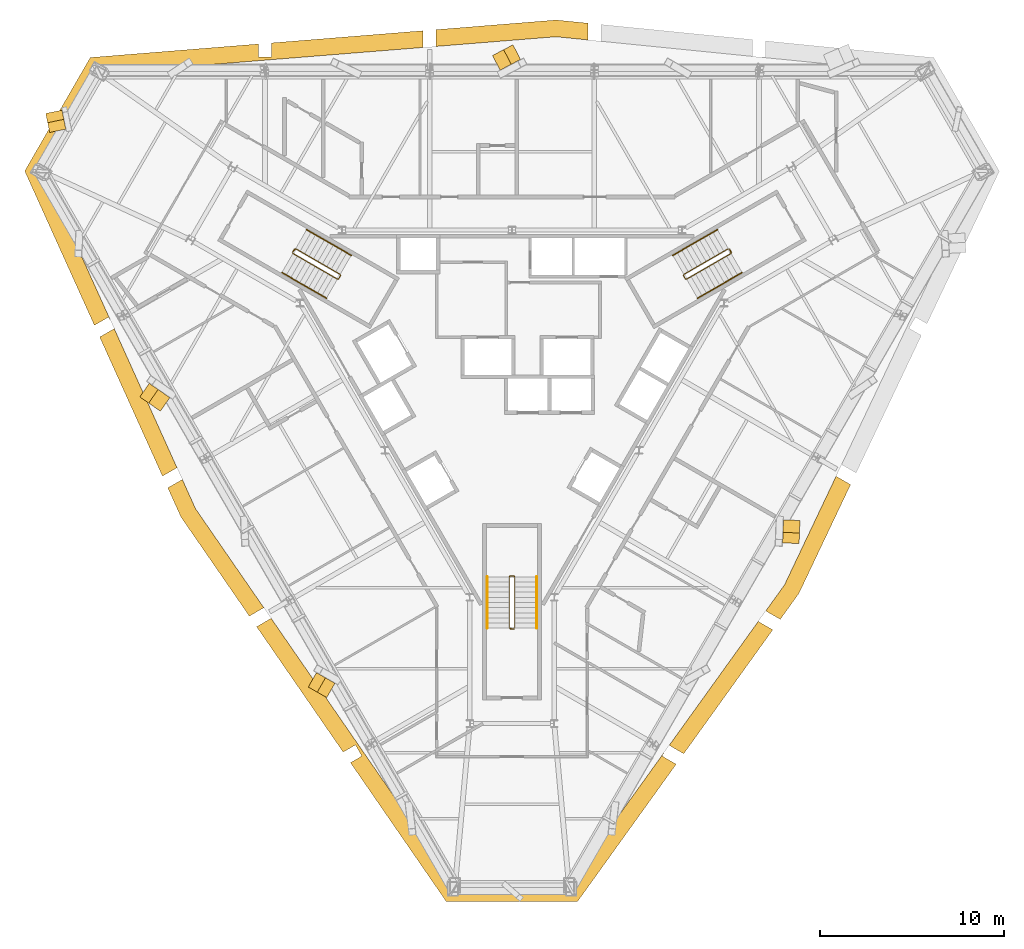
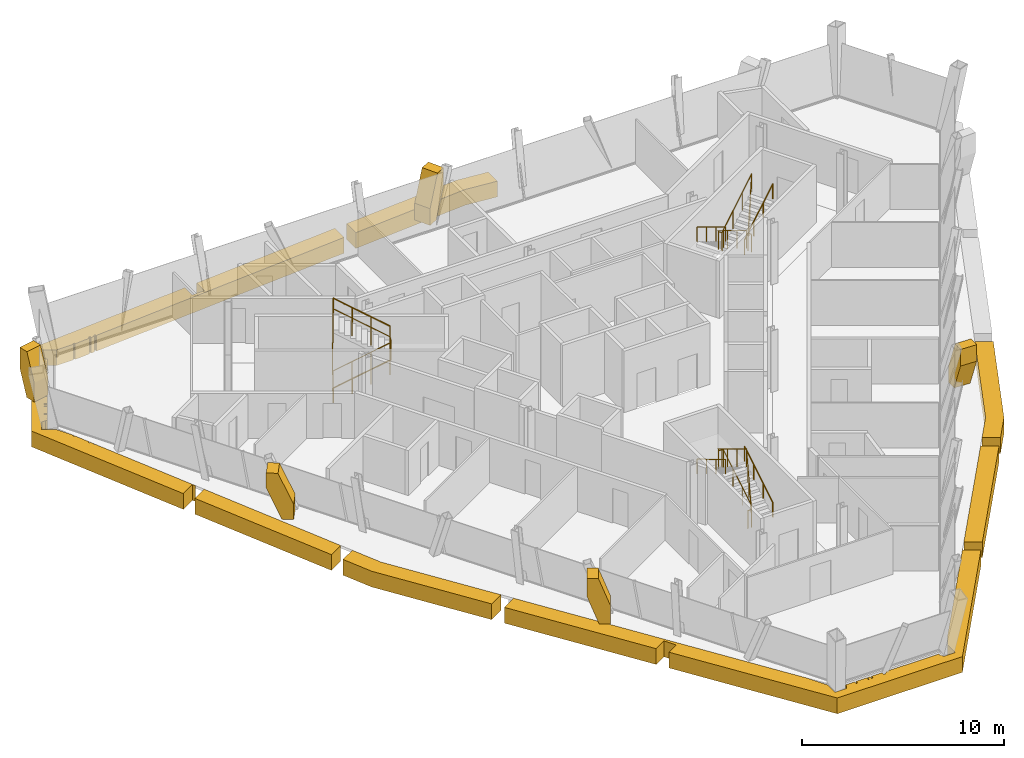
# One storey, part 12 of 13: 12 coverings, 9 railings.
"""IFC4 building model written with IfcOpenShell, lengths in metres."""

from ifc_helpers import new_model, si_unit, direction, frame, origin, origin_2d, place, context, subcontext, project, spatial, polyline, circle, outline, extrude, material, layer, layer_set, type_object, element, save


model = new_model("IFC4")

# Units and contexts
model_context = context("Model", 3, precision=1e-05, world=origin(), true_north=direction((0.0, 1.0)))
body_context = subcontext(model_context, "Body", "Model", "MODEL_VIEW")
ifc_project = project(units=[si_unit("LENGTHUNIT", "METRE"), si_unit("AREAUNIT", "SQUARE_METRE"), si_unit("VOLUMEUNIT", "CUBIC_METRE"), si_unit("PLANEANGLEUNIT", "RADIAN"), si_unit("MASSUNIT", "GRAM", prefix="KILO")], contexts=[model_context])

# Site, building, storey
site_placement = place(None, origin())
site = spatial("IfcSite", under=ifc_project, at=site_placement, CompositionType="ELEMENT")
building_placement = place(site_placement, origin())
building = spatial("IfcBuilding", under=site, at=building_placement, Name="Verrane Prism Tower", CompositionType="ELEMENT")
storey_placement = place(building_placement, frame((0.0, 0.0, 243.39990234375)))
storey = spatial("IfcBuildingStorey", under=building, at=storey_placement, Name="L61", CompositionType="ELEMENT", Elevation=243.39990234375)

# Railings
ifc_material_1 = material(Name="Steel A36 rail and posts, no infill", Category="steel")
railing_type_1 = type_object("IfcRailingType", Name="Stair guard 1100 steel rail and posts", PredefinedType="GUARDRAIL", material=ifc_material_1)
railing_1_placement = place(storey_placement, frame((11.78955078125, 6.97998046875, 0.168212890625)))
element("IfcRailing", 1, at=railing_1_placement, inside=storey, type_object=railing_type_1, Name="Stair 1 guard", PredefinedType="GUARDRAIL", context=body_context, shape_type="SweptSolid", body=[
    extrude(circle(Radius=0.02392578125, at=origin_2d()), frame((0.0, 0.0, 1.076171875), z_axis=(-0.742366697286, -0.42866220388, 0.514917859203), x_axis=(0.500049511043, -0.865996816683, 0.0)), (0.0, 0.0, 1.0), 3.266357421875),
    extrude(circle(Radius=0.02392578125, at=origin_2d()), frame((-2.4248046875, -1.400146484375, 2.7578125), z_axis=(-0.259601060869, -0.965715946433, 0.0), x_axis=(0.965715946433, -0.259601060869, 0.0)), (0.0, 0.0, 1.0), 0.070556640625),
    extrude(circle(Radius=0.02392578125, at=origin_2d()), frame((-2.443115234375, -1.46826171875, 2.7578125), z_axis=(0.499158860599, -0.866510491504, 0.0), x_axis=(0.866510491504, 0.499158860599, 0.0)), (0.0, 0.0, 1.0), 0.199951171875),
    extrude(circle(Radius=0.02392578125, at=origin_2d()), frame((-2.34326171875, -1.6416015625, 2.7578125), z_axis=(0.374585375571, -0.100335368456, 0.921747584887), x_axis=(0.258736085224, 0.965948051503, 0.0)), (0.0, 0.0, 1.0), 0.182373046875),
    extrude(circle(Radius=0.02392578125, at=origin_2d()), frame((-2.27490234375, -1.659912109375, 2.92626953125), z_axis=(0.742366697286, 0.42866220388, 0.514917859203), x_axis=(-0.500049511043, 0.865996816683, 0.0)), (0.0, 0.0, 1.0), 3.266357421875),
    extrude(circle(Radius=0.02392578125, at=origin_2d()), frame((0.14990234375, -0.259765625, 4.60791015625), z_axis=(-0.021985391189, 0.065100454749, -0.997636493602), x_axis=(-0.947430582667, -0.3199613899, 0.0)), (0.0, 0.0, 1.0), 3.708984375),
    extrude(circle(Radius=0.02392578125, at=origin_2d()), frame((0.068359375, -0.018310546875, 0.90771484375), z_axis=(0.499158860599, -0.866510491504, 0.0), x_axis=(0.866510491504, 0.499158860599, 0.0)), (0.0, 0.0, 1.0), 0.199951171875),
    extrude(circle(Radius=0.02099609375, at=origin_2d()), origin(), (0.0, 0.0, 1.0), 1.052001953125),
    extrude(circle(Radius=0.02099609375, at=origin_2d()), frame((-0.808349609375, -0.466796875, 0.560546875)), (0.0, 0.0, 1.0), 1.052001953125),
    extrude(circle(Radius=0.02099609375, at=origin_2d()), frame((-1.616455078125, -0.933349609375, 1.121337890625)), (0.0, 0.0, 1.0), 1.052001953125),
    extrude(circle(Radius=0.02099609375, at=origin_2d()), frame((-2.4248046875, -1.400146484375, 1.681884765625)), (0.0, 0.0, 1.0), 1.052001953125),
    extrude(circle(Radius=0.02099609375, at=origin_2d()), frame((-2.443115234375, -1.46826171875, 1.681884765625)), (0.0, 0.0, 1.0), 1.052001953125),
    extrude(circle(Radius=0.02099609375, at=origin_2d()), frame((-2.34326171875, -1.6416015625, 1.681884765625)), (0.0, 0.0, 1.0), 1.052001953125),
    extrude(circle(Radius=0.02099609375, at=origin_2d()), frame((-2.27490234375, -1.659912109375, 1.85009765625)), (0.0, 0.0, 1.0), 1.052001953125),
    extrude(circle(Radius=0.02099609375, at=origin_2d()), frame((-1.466552734375, -1.193115234375, 2.41064453125)), (0.0, 0.0, 1.0), 1.052001953125),
    extrude(circle(Radius=0.02099609375, at=origin_2d()), frame((-0.658447265625, -0.7265625, 2.971435546875)), (0.0, 0.0, 1.0), 1.052001953125),
    extrude(circle(Radius=0.02099609375, at=origin_2d()), frame((0.14990234375, -0.259765625, 3.531982421875)), (0.0, 0.0, 1.0), 1.052001953125),
    extrude(circle(Radius=0.02099609375, at=origin_2d()), frame((0.12939453125, -0.199462890625, 2.60693359375)), (0.0, 0.0, 1.0), 1.052001953125),
    extrude(circle(Radius=0.02099609375, at=origin_2d()), frame((0.109130859375, -0.13916015625, 1.681884765625)), (0.0, 0.0, 1.0), 1.052001953125),
    extrude(circle(Radius=0.02099609375, at=origin_2d()), frame((0.0888671875, -0.07861328125, 0.7568359375)), (0.0, 0.0, 1.0), 1.052001953125),
    extrude(circle(Radius=0.02099609375, at=origin_2d()), frame((0.068359375, -0.018310546875, -0.168212890625)), (0.0, 0.0, 1.0), 1.052001953125),
    extrude(circle(Radius=0.02099609375, at=origin_2d()), frame((0.168212890625, -0.191650390625, -0.168212890625)), (0.0, 0.0, 1.0), 1.052001953125),
])
railing_2_placement = place(storey_placement, frame((-11.939453125, 6.72021484375, 0.168212890625)))
element("IfcRailing", 2, at=railing_2_placement, inside=storey, type_object=railing_type_1, Name="Stair 2 guard", PredefinedType="GUARDRAIL", context=body_context, shape_type="SweptSolid", body=[
    extrude(circle(Radius=0.02392578125, at=origin_2d()), frame((0.0, 0.0, 1.076171875), z_axis=(0.742366697286, -0.42866220388, 0.514917859203), x_axis=(0.500049511043, 0.865996816683, 0.0)), (0.0, 0.0, 1.0), 3.266357421875),
    extrude(circle(Radius=0.02392578125, at=origin_2d()), frame((2.4248046875, -1.400146484375, 2.7578125), z_axis=(0.965948051503, 0.258736085224, 0.0), x_axis=(-0.258736085224, 0.965948051503, 0.0)), (0.0, 0.0, 1.0), 0.07080078125),
    extrude(circle(Radius=0.02392578125, at=origin_2d()), frame((2.4931640625, -1.3818359375, 2.7578125), z_axis=(0.499158860599, 0.866510491504, 0.0), x_axis=(-0.866510491504, 0.499158860599, 0.0)), (0.0, 0.0, 1.0), 0.199951171875),
    extrude(circle(Radius=0.02392578125, at=origin_2d()), frame((2.593017578125, -1.20849609375, 2.7578125), z_axis=(-0.100385596638, 0.373434419493, 0.922209014446), x_axis=(-0.965715946433, -0.259601060869, 0.0)), (0.0, 0.0, 1.0), 0.182373046875),
    extrude(circle(Radius=0.02392578125, at=origin_2d()), frame((2.57470703125, -1.140380859375, 2.92626953125), z_axis=(-0.742366697286, 0.42866220388, 0.514917859203), x_axis=(-0.500049511043, -0.865996816683, 0.0)), (0.0, 0.0, 1.0), 3.266357421875),
    extrude(circle(Radius=0.02392578125, at=origin_2d()), frame((0.14990234375, 0.259765625, 4.60791015625), z_axis=(-0.045352972709, -0.05167210969, -0.997633750906), x_axis=(0.751567565678, -0.659656118156, 0.0)), (0.0, 0.0, 1.0), 3.708984375),
    extrude(circle(Radius=0.02392578125, at=origin_2d()), frame((-0.018310546875, 0.068115234375, 0.90771484375), z_axis=(0.499158860599, 0.866510491504, 0.0), x_axis=(-0.866510491504, 0.499158860599, 0.0)), (0.0, 0.0, 1.0), 0.199951171875),
    extrude(circle(Radius=0.02099609375, at=origin_2d()), origin(), (0.0, 0.0, 1.0), 1.052001953125),
    extrude(circle(Radius=0.02099609375, at=origin_2d()), frame((0.808349609375, -0.466796875, 0.560546875)), (0.0, 0.0, 1.0), 1.052001953125),
    extrude(circle(Radius=0.02099609375, at=origin_2d()), frame((1.616455078125, -0.933349609375, 1.121337890625)), (0.0, 0.0, 1.0), 1.052001953125),
    extrude(circle(Radius=0.02099609375, at=origin_2d()), frame((2.4248046875, -1.400146484375, 1.681884765625)), (0.0, 0.0, 1.0), 1.052001953125),
    extrude(circle(Radius=0.02099609375, at=origin_2d()), frame((2.4931640625, -1.3818359375, 1.681884765625)), (0.0, 0.0, 1.0), 1.052001953125),
    extrude(circle(Radius=0.02099609375, at=origin_2d()), frame((2.593017578125, -1.20849609375, 1.681884765625)), (0.0, 0.0, 1.0), 1.052001953125),
    extrude(circle(Radius=0.02099609375, at=origin_2d()), frame((2.57470703125, -1.140380859375, 1.85009765625)), (0.0, 0.0, 1.0), 1.052001953125),
    extrude(circle(Radius=0.02099609375, at=origin_2d()), frame((1.766357421875, -0.673583984375, 2.41064453125)), (0.0, 0.0, 1.0), 1.052001953125),
    extrude(circle(Radius=0.02099609375, at=origin_2d()), frame((0.958251953125, -0.20703125, 2.971435546875)), (0.0, 0.0, 1.0), 1.052001953125),
    extrude(circle(Radius=0.02099609375, at=origin_2d()), frame((0.14990234375, 0.259765625, 3.531982421875)), (0.0, 0.0, 1.0), 1.052001953125),
    extrude(circle(Radius=0.02099609375, at=origin_2d()), frame((0.10791015625, 0.2119140625, 2.60693359375)), (0.0, 0.0, 1.0), 1.052001953125),
    extrude(circle(Radius=0.02099609375, at=origin_2d()), frame((0.06591796875, 0.1640625, 1.681884765625)), (0.0, 0.0, 1.0), 1.052001953125),
    extrude(circle(Radius=0.02099609375, at=origin_2d()), frame((0.023681640625, 0.115966796875, 0.7568359375)), (0.0, 0.0, 1.0), 1.052001953125),
    extrude(circle(Radius=0.02099609375, at=origin_2d()), frame((-0.018310546875, 0.068115234375, -0.168212890625)), (0.0, 0.0, 1.0), 1.052001953125),
    extrude(circle(Radius=0.02099609375, at=origin_2d()), frame((0.08154296875, 0.241455078125, -0.168212890625)), (0.0, 0.0, 1.0), 1.052001953125),
])
railing_3_placement = place(storey_placement, frame((0.14990234375, -13.699951171875, 0.168212890625)))
element("IfcRailing", 3, at=railing_3_placement, inside=storey, type_object=railing_type_1, Name="Stair 3 guard", PredefinedType="GUARDRAIL", context=body_context, shape_type="SweptSolid", body=[
    extrude(circle(Radius=0.02392578125, at=origin_2d()), frame((0.0, 0.0, 1.076171875), z_axis=(0.0, 0.857242210791, 0.514913383045), x_axis=(-1.0, 0.0, 0.0)), (0.0, 0.0, 1.0), 3.266357421875),
    extrude(circle(Radius=0.02392578125, at=origin_2d()), frame((0.0, 2.800048828125, 2.7578125), z_axis=(-0.707106781187, 0.707106781187, 0.0), x_axis=(-0.707106781187, -0.707106781187, 0.0)), (0.0, 0.0, 1.0), 0.0703125),
    extrude(circle(Radius=0.02392578125, at=origin_2d()), frame((-0.0498046875, 2.849853515625, 2.7578125), z_axis=(-1.0, 0.0, 0.0), x_axis=(0.0, -1.0, 0.0)), (0.0, 0.0, 1.0), 0.2001953125),
    extrude(circle(Radius=0.02392578125, at=origin_2d()), frame((-0.25, 2.849853515625, 2.7578125), z_axis=(-0.273106073848, -0.273106073848, 0.922402376869), x_axis=(0.707106781187, -0.707106781187, 0.0)), (0.0, 0.0, 1.0), 0.182373046875),
    extrude(circle(Radius=0.02392578125, at=origin_2d()), frame((-0.2998046875, 2.800048828125, 2.92626953125), z_axis=(0.0, -0.857242210791, 0.514913383045), x_axis=(1.0, 0.0, 0.0)), (0.0, 0.0, 1.0), 3.266357421875),
    extrude(circle(Radius=0.02392578125, at=origin_2d()), frame((-0.2998046875, 0.0, 4.60791015625), z_axis=(0.067404178178, -0.013494000514, -0.997634496554), x_axis=(0.196300278283, 0.98054382908, 0.0)), (0.0, 0.0, 1.0), 3.708984375),
    extrude(circle(Radius=0.02392578125, at=origin_2d()), frame((-0.0498046875, -0.050048828125, 0.90771484375), z_axis=(-1.0, 0.0, 0.0), x_axis=(0.0, -1.0, 0.0)), (0.0, 0.0, 1.0), 0.2001953125),
    extrude(circle(Radius=0.02099609375, at=origin_2d()), origin(), (0.0, 0.0, 1.0), 1.052001953125),
    extrude(circle(Radius=0.02099609375, at=origin_2d()), frame((0.0, 0.933349609375, 0.560546875)), (0.0, 0.0, 1.0), 1.052001953125),
    extrude(circle(Radius=0.02099609375, at=origin_2d()), frame((0.0, 1.86669921875, 1.121337890625)), (0.0, 0.0, 1.0), 1.052001953125),
    extrude(circle(Radius=0.02099609375, at=origin_2d()), frame((0.0, 2.800048828125, 1.681884765625)), (0.0, 0.0, 1.0), 1.052001953125),
    extrude(circle(Radius=0.02099609375, at=origin_2d()), frame((-0.0498046875, 2.849853515625, 1.681884765625)), (0.0, 0.0, 1.0), 1.052001953125),
    extrude(circle(Radius=0.02099609375, at=origin_2d()), frame((-0.25, 2.849853515625, 1.681884765625)), (0.0, 0.0, 1.0), 1.052001953125),
    extrude(circle(Radius=0.02099609375, at=origin_2d()), frame((-0.2998046875, 2.800048828125, 1.85009765625)), (0.0, 0.0, 1.0), 1.052001953125),
    extrude(circle(Radius=0.02099609375, at=origin_2d()), frame((-0.2998046875, 1.86669921875, 2.41064453125)), (0.0, 0.0, 1.0), 1.052001953125),
    extrude(circle(Radius=0.02099609375, at=origin_2d()), frame((-0.2998046875, 0.933349609375, 2.971435546875)), (0.0, 0.0, 1.0), 1.052001953125),
    extrude(circle(Radius=0.02099609375, at=origin_2d()), frame((-0.2998046875, 0.0, 3.531982421875)), (0.0, 0.0, 1.0), 1.052001953125),
    extrude(circle(Radius=0.02099609375, at=origin_2d()), frame((-0.2373046875, -0.012451171875, 2.60693359375)), (0.0, 0.0, 1.0), 1.052001953125),
    extrude(circle(Radius=0.02099609375, at=origin_2d()), frame((-0.1748046875, -0.02490234375, 1.681884765625)), (0.0, 0.0, 1.0), 1.052001953125),
    extrude(circle(Radius=0.02099609375, at=origin_2d()), frame((-0.1123046875, -0.03759765625, 0.7568359375)), (0.0, 0.0, 1.0), 1.052001953125),
    extrude(circle(Radius=0.02099609375, at=origin_2d()), frame((-0.0498046875, -0.050048828125, -0.168212890625)), (0.0, 0.0, 1.0), 1.052001953125),
    extrude(circle(Radius=0.02099609375, at=origin_2d()), frame((-0.25, -0.050048828125, -0.168212890625)), (0.0, 0.0, 1.0), 1.052001953125),
])
ifc_material_2 = material(Name="Steel A36 tube", Category="steel")
railing_type_2 = type_object("IfcRailingType", Name="Stair handrail 900 steel tube", PredefinedType="HANDRAIL", material=ifc_material_2)
railing_4_placement = place(storey_placement, frame((11.189453125, 8.01904296875, 0.168212890625)))
element("IfcRailing", 4, at=railing_4_placement, inside=storey, type_object=railing_type_2, Name="Stair 1 handrail", PredefinedType="HANDRAIL", context=body_context, shape_type="SweptSolid", body=[
    extrude(circle(Radius=0.02392578125, at=origin_2d()), frame((0.0, 0.0, 0.8759765625), z_axis=(-0.742390482028, -0.42860119049, 0.514934356695), x_axis=(0.49998411664, -0.866034573852, 0.0)), (0.0, 0.0, 1.0), 3.26611328125),
    extrude(circle(Radius=0.02099609375, at=origin_2d()), origin(), (0.0, 0.0, 1.0), 0.851806640625),
    extrude(circle(Radius=0.02099609375, at=origin_2d()), frame((-0.808349609375, -0.466552734375, 0.560546875)), (0.0, 0.0, 1.0), 0.851806640625),
    extrude(circle(Radius=0.02099609375, at=origin_2d()), frame((-1.616455078125, -0.933349609375, 1.121337890625)), (0.0, 0.0, 1.0), 0.851806640625),
    extrude(circle(Radius=0.02099609375, at=origin_2d()), frame((-2.4248046875, -1.39990234375, 1.681884765625)), (0.0, 0.0, 1.0), 0.851806640625),
])
railing_5_placement = place(storey_placement, frame((10.11474609375, 4.28076171875, 2.018310546875)))
element("IfcRailing", 5, at=railing_5_placement, inside=storey, type_object=railing_type_2, Name="Stair 1 handrail", PredefinedType="HANDRAIL", context=body_context, shape_type="SweptSolid", body=[
    extrude(circle(Radius=0.02392578125, at=origin_2d()), frame((0.0, 0.0, 0.8759765625), z_axis=(0.742366697286, 0.42866220388, 0.514917859203), x_axis=(-0.500049511043, 0.865996816683, 0.0)), (0.0, 0.0, 1.0), 3.266357421875),
    extrude(circle(Radius=0.02099609375, at=origin_2d()), origin(), (0.0, 0.0, 1.0), 0.851806640625),
    extrude(circle(Radius=0.02099609375, at=origin_2d()), frame((0.808349609375, 0.466796875, 0.560546875)), (0.0, 0.0, 1.0), 0.851806640625),
    extrude(circle(Radius=0.02099609375, at=origin_2d()), frame((1.616455078125, 0.933349609375, 1.121337890625)), (0.0, 0.0, 1.0), 0.851806640625),
    extrude(circle(Radius=0.02099609375, at=origin_2d()), frame((2.4248046875, 1.400146484375, 1.681884765625)), (0.0, 0.0, 1.0), 0.851806640625),
])
railing_6_placement = place(storey_placement, frame((-12.53955078125, 5.680908203125, 0.168212890625)))
element("IfcRailing", 6, at=railing_6_placement, inside=storey, type_object=railing_type_2, Name="Stair 2 handrail", PredefinedType="HANDRAIL", context=body_context, shape_type="SweptSolid", body=[
    extrude(circle(Radius=0.02392578125, at=origin_2d()), frame((0.0, 0.0, 0.8759765625), z_axis=(0.742366697286, -0.42866220388, 0.514917859203), x_axis=(0.500049511043, 0.865996816683, 0.0)), (0.0, 0.0, 1.0), 3.266357421875),
    extrude(circle(Radius=0.02099609375, at=origin_2d()), origin(), (0.0, 0.0, 1.0), 0.851806640625),
    extrude(circle(Radius=0.02099609375, at=origin_2d()), frame((0.808349609375, -0.466796875, 0.560546875)), (0.0, 0.0, 1.0), 0.851806640625),
    extrude(circle(Radius=0.02099609375, at=origin_2d()), frame((1.616455078125, -0.933349609375, 1.121337890625)), (0.0, 0.0, 1.0), 0.851806640625),
    extrude(circle(Radius=0.02099609375, at=origin_2d()), frame((2.4248046875, -1.400146484375, 1.681884765625)), (0.0, 0.0, 1.0), 0.851806640625),
])
railing_7_placement = place(storey_placement, frame((-8.7646484375, 6.619140625, 2.018310546875)))
element("IfcRailing", 7, at=railing_7_placement, inside=storey, type_object=railing_type_2, Name="Stair 2 handrail", PredefinedType="HANDRAIL", context=body_context, shape_type="SweptSolid", body=[
    extrude(circle(Radius=0.02392578125, at=origin_2d()), frame((0.0, 0.0, 0.8759765625), z_axis=(-0.742390482028, 0.42860119049, 0.514934356695), x_axis=(-0.49998411664, -0.866034573852, 0.0)), (0.0, 0.0, 1.0), 3.26611328125),
    extrude(circle(Radius=0.02099609375, at=origin_2d()), origin(), (0.0, 0.0, 1.0), 0.851806640625),
    extrude(circle(Radius=0.02099609375, at=origin_2d()), frame((-0.808349609375, 0.466552734375, 0.560546875)), (0.0, 0.0, 1.0), 0.851806640625),
    extrude(circle(Radius=0.02099609375, at=origin_2d()), frame((-1.616455078125, 0.933349609375, 1.121337890625)), (0.0, 0.0, 1.0), 0.851806640625),
    extrude(circle(Radius=0.02099609375, at=origin_2d()), frame((-2.4248046875, 1.39990234375, 1.681884765625)), (0.0, 0.0, 1.0), 0.851806640625),
])
railing_8_placement = place(storey_placement, frame((1.35009765625, -13.699951171875, 0.168212890625)))
element("IfcRailing", 8, at=railing_8_placement, inside=storey, type_object=railing_type_2, Name="Stair 3 handrail", PredefinedType="HANDRAIL", context=body_context, shape_type="SweptSolid", body=[
    extrude(circle(Radius=0.02392578125, at=origin_2d()), frame((0.0, 0.0, 0.8759765625), z_axis=(0.0, 0.857242210791, 0.514913383045), x_axis=(-1.0, 0.0, 0.0)), (0.0, 0.0, 1.0), 3.266357421875),
    extrude(circle(Radius=0.02099609375, at=origin_2d()), origin(), (0.0, 0.0, 1.0), 0.851806640625),
    extrude(circle(Radius=0.02099609375, at=origin_2d()), frame((0.0, 0.933349609375, 0.560546875)), (0.0, 0.0, 1.0), 0.851806640625),
    extrude(circle(Radius=0.02099609375, at=origin_2d()), frame((0.0, 1.86669921875, 1.121337890625)), (0.0, 0.0, 1.0), 0.851806640625),
    extrude(circle(Radius=0.02099609375, at=origin_2d()), frame((0.0, 2.800048828125, 1.681884765625)), (0.0, 0.0, 1.0), 0.851806640625),
])
railing_9_placement = place(storey_placement, frame((-1.35009765625, -10.89990234375, 2.018310546875)))
element("IfcRailing", 9, at=railing_9_placement, inside=storey, type_object=railing_type_2, Name="Stair 3 handrail", PredefinedType="HANDRAIL", context=body_context, shape_type="SweptSolid", body=[
    extrude(circle(Radius=0.02392578125, at=origin_2d()), frame((0.0, 0.0, 0.8759765625), z_axis=(0.0, -0.857242210791, 0.514913383045), x_axis=(1.0, 0.0, 0.0)), (0.0, 0.0, 1.0), 3.266357421875),
    extrude(circle(Radius=0.02099609375, at=origin_2d()), origin(), (0.0, 0.0, 1.0), 0.851806640625),
    extrude(circle(Radius=0.02099609375, at=origin_2d()), frame((0.0, -0.933349609375, 0.560546875)), (0.0, 0.0, 1.0), 0.851806640625),
    extrude(circle(Radius=0.02099609375, at=origin_2d()), frame((0.0, -1.86669921875, 1.121337890625)), (0.0, 0.0, 1.0), 0.851806640625),
    extrude(circle(Radius=0.02099609375, at=origin_2d()), frame((0.0, -2.800048828125, 1.681884765625)), (0.0, 0.0, 1.0), 0.851806640625),
])

# Coverings
ifc_material_3 = material(Name="Warm limestone cladding", Category="masonry")
ifc_layer_1 = layer(ifc_material_3, 0.89990234375)
ifc_layer_set_1 = layer_set([ifc_layer_1], Name="Stone brace fin 900")
covering_type_1 = type_object("IfcCoveringType", Name="Stone brace fin 900", PredefinedType="CLADDING", material=ifc_layer_set_1)
covering_1_placement = place(storey_placement, frame((-0.8564453125, 17.108642578125, 0.0), z_axis=(0.0, 0.0, 1.0), x_axis=(0.885861866094, 0.463949085785, 0.0)))
element("IfcCovering", 10, at=covering_1_placement, inside=storey, type_object=covering_type_1, Name="Stone brace fin N3 L61", PredefinedType="CLADDING", context=body_context, shape_type="SweptSolid", body=[
    extrude(outline(polyline([(1.26025390625, 2.75), (0.68603515625, 2.75), (0.0, 1.01025390625), (0.0, 0.0), (0.569091796875, 0.0), (1.26025390625, 1.752685546875), (1.26025390625, 2.75)])), frame((0.0, 0.449951171875, 0.0), z_axis=(0.0, -1.0, 0.0), x_axis=(1.0, 0.0, 0.0)), (0.0, 0.0, 1.0), 0.89990234375),
])
covering_2_placement = place(storey_placement, frame((-18.904296875, -1.50341796875, 0.0), z_axis=(0.0, 0.0, 1.0), x_axis=(-0.822501717693, 0.568762625699, 0.0)))
element("IfcCovering", 11, at=covering_2_placement, inside=storey, type_object=covering_type_1, Name="Stone brace fin SW2 L61", PredefinedType="CLADDING", context=body_context, shape_type="SweptSolid", body=[
    extrude(outline(polyline([(1.362548828125, 2.75), (0.775390625, 2.75), (0.0, 0.930908203125), (0.0, 0.0), (0.58154296875, 0.0), (1.362548828125, 1.83203125), (1.362548828125, 2.75)])), frame((0.0, 0.449951171875, 0.0), z_axis=(0.0, -1.0, 0.0), x_axis=(1.0, 0.0, 0.0)), (0.0, 0.0, 1.0), 0.89990234375),
])
covering_3_placement = place(storey_placement, frame((-9.872802734375, -17.08935546875, 0.0), z_axis=(0.0, 0.0, 1.0), x_axis=(-0.868839910163, 0.495093133166, 0.0)))
element("IfcCovering", 12, at=covering_3_placement, inside=storey, type_object=covering_type_1, Name="Stone brace fin SW4 L61", PredefinedType="CLADDING", context=body_context, shape_type="SweptSolid", body=[
    extrude(outline(polyline([(1.156982421875, 2.75), (0.59521484375, 2.75), (0.0, 1.10546875), (0.0, 0.0), (0.556884765625, 0.0), (1.156982421875, 1.657470703125), (1.156982421875, 2.75)])), frame((0.0, 0.449951171875, 0.0), z_axis=(0.0, -1.0, 0.0), x_axis=(1.0, 0.0, 0.0)), (0.0, 0.0, 1.0), 0.89990234375),
])
covering_4_placement = place(storey_placement, frame((15.244384765625, -7.811279296875, 0.0), z_axis=(0.0, 0.0, 1.0), x_axis=(-0.038760609977, -0.9992485252, 0.0)))
element("IfcCovering", 13, at=covering_4_placement, inside=storey, type_object=covering_type_1, Name="Stone brace fin SE3 L61", PredefinedType="CLADDING", context=body_context, shape_type="SweptSolid", body=[
    extrude(outline(polyline([(1.259521484375, 2.75), (0.685302734375, 2.75), (0.0, 1.0107421875), (0.0, 0.0), (0.569091796875, 0.0), (1.259521484375, 1.752197265625), (1.259521484375, 2.75)])), frame((0.0, 0.449951171875, 0.0), z_axis=(0.0, -1.0, 0.0), x_axis=(1.0, 0.0, 0.0)), (0.0, 0.0, 1.0), 0.89990234375),
])
covering_5_placement = place(storey_placement, frame((-24.75390625, 13.40478515625, 0.0), z_axis=(0.0, 0.0, 1.0), x_axis=(-0.201789566248, 0.979428900407, 0.0)))
element("IfcCovering", 14, at=covering_5_placement, inside=storey, type_object=covering_type_1, Name="Stone brace fin NW1 L61", PredefinedType="CLADDING", context=body_context, shape_type="SweptSolid", body=[
    extrude(outline(polyline([(1.05859375, 2.75), (0.543701171875, 2.75), (0.0, 1.1533203125), (0.0, 0.0), (0.55810546875, 0.0), (1.05859375, 1.4697265625), (1.05859375, 2.75)])), frame((0.0, 0.449951171875, 0.0), z_axis=(0.0, -1.0, 0.0), x_axis=(1.0, 0.0, 0.0)), (0.0, 0.0, 1.0), 0.89990234375),
])
ifc_material_4 = material(Name="Warm limestone cladding", Category="masonry")
ifc_layer_2 = layer(ifc_material_4, 0.449951171875)
ifc_layer_set_2 = layer_set([ifc_layer_2], Name="Stone spandrel band 450")
covering_type_2 = type_object("IfcCoveringType", Name="Stone spandrel band 450", PredefinedType="CLADDING", material=ifc_layer_set_2)
covering_6_placement = place(storey_placement, frame((0.0, 0.0, -0.949951171875)))
element("IfcCovering", 15, at=covering_6_placement, inside=storey, type_object=covering_type_2, Name="Stone spandrel band L61 part 1", PredefinedType="CLADDING", context=body_context, shape_type="SweptSolid", body=[
    extrude(outline(polyline([(3.565673828125, -28.602294921875), (8.94775390625, -21.112060546875), (8.181884765625, -20.669677734375), (8.293701171875, -20.475830078125), (8.287353515625, -20.4716796875), (3.882568359375, -26.601806640625), (3.429931640625, -27.3857421875), (3.429931640625, -28.1201171875), (2.77001953125, -28.1201171875), (2.77001953125, -28.09814453125), (2.6591796875, -27.908935546875), (2.6591796875, -27.82568359375), (-0.33203125, -27.82568359375), (-0.47900390625, -27.991943359375), (-0.513671875, -27.961181640625), (-0.513671875, -27.989990234375), (-0.565185546875, -27.989990234375), (-0.565185546875, -27.91552734375), (-0.566162109375, -27.914794921875), (-0.565185546875, -27.913818359375), (-0.565185546875, -27.82568359375), (-1.17578125, -27.82568359375), (-1.17578125, -27.989990234375), (-1.2578125, -27.989990234375), (-1.2578125, -27.82568359375), (-1.3994140625, -27.82568359375), (-1.3994140625, -27.989990234375), (-1.450927734375, -27.989990234375), (-1.450927734375, -27.82568359375), (-2.0615234375, -27.82568359375), (-2.0615234375, -27.989990234375), (-2.1435546875, -27.989990234375), (-2.1435546875, -27.82568359375), (-2.48681640625, -27.82568359375), (-2.511962890625, -27.84033203125), (-2.5205078125, -27.82568359375), (-2.6591796875, -27.82568359375), (-2.6591796875, -27.908935546875), (-2.77001953125, -28.09814453125), (-2.77001953125, -28.1201171875), (-3.429931640625, -28.1201171875), (-3.429931640625, -27.3857421875), (-4.0419921875, -26.32568359375), (-13.124755859375, -13.162353515625), (-13.915283203125, -13.618896484375), (-9.201416015625, -20.4501953125), (-8.53173828125, -20.0634765625), (-8.181884765625, -20.669677734375), (-8.802734375, -21.0283203125), (-3.57666015625, -28.602294921875), (3.565673828125, -28.602294921875)])), origin(), (0.0, 0.0, 1.0), 0.949951171875),
])
covering_7_placement = place(storey_placement, frame((0.0, 0.0, -0.949951171875)))
element("IfcCovering", 16, at=covering_7_placement, inside=storey, type_object=covering_type_2, Name="Stone spandrel band L61 part 3", PredefinedType="CLADDING", context=body_context, shape_type="SweptSolid", body=[
    extrude(outline(polyline([(-21.98779296875, 3.251220703125), (-21.896484375, 3.093017578125), (-21.889892578125, 3.096435546875), (-24.389404296875, 8.63232421875), (-24.41162109375, 8.61962890625), (-24.46630859375, 8.714599609375), (-24.434814453125, 8.73291015625), (-24.51611328125, 8.9130859375), (-24.566162109375, 8.891357421875), (-24.610107421875, 8.9912109375), (-24.56103515625, 9.0126953125), (-24.90869140625, 9.78271484375), (-24.949462890625, 9.764892578125), (-24.99169921875, 9.86083984375), (-24.951904296875, 9.878173828125), (-24.979248046875, 9.938720703125), (-25.431640625, 10.72216796875), (-26.0673828125, 11.089111328125), (-25.7373046875, 11.660888671875), (-25.718505859375, 11.64990234375), (-25.49951171875, 11.64990234375), (-25.427978515625, 11.608642578125), (-25.358154296875, 11.729736328125), (-25.366943359375, 11.7451171875), (-25.3408203125, 11.760009765625), (-25.16943359375, 12.056396484375), (-25.3115234375, 12.138427734375), (-25.2705078125, 12.20947265625), (-25.12841796875, 12.127685546875), (-24.8232421875, 12.65625), (-24.96533203125, 12.73828125), (-24.939453125, 12.782958984375), (-24.797607421875, 12.700927734375), (-24.726806640625, 12.823486328125), (-24.86865234375, 12.905517578125), (-24.82763671875, 12.9765625), (-24.685791015625, 12.89453125), (-24.38037109375, 13.42333984375), (-24.455078125, 13.466552734375), (-24.45751953125, 13.466064453125), (-24.4580078125, 13.46826171875), (-24.5224609375, 13.50537109375), (-24.49658203125, 13.550048828125), (-24.471923828125, 13.535888671875), (-24.481201171875, 13.580322265625), (-24.263916015625, 13.625), (-22.767578125, 16.217041015625), (-22.84033203125, 16.259033203125), (-22.948486328125, 16.4482421875), (-22.96728515625, 16.459228515625), (-22.637451171875, 17.03076171875), (-22.0009765625, 16.663330078125), (-21.03076171875, 16.663330078125), (-21.0361328125, 16.712890625), (-20.931640625, 16.72412109375), (-20.925048828125, 16.663330078125), (-20.777587890625, 16.663330078125), (-20.080810546875, 16.719482421875), (-20.091552734375, 16.81640625), (-19.98291015625, 16.828125), (-19.971923828125, 16.728271484375), (-19.77978515625, 16.74365234375), (-19.77978515625, 16.830078125), (-19.670166015625, 16.830078125), (-19.670166015625, 16.752685546875), (-18.787109375, 16.82373046875), (-18.787109375, 16.830078125), (-18.708984375, 16.830078125), (-4.836669921875, 17.947509765625), (-4.836669921875, 18.8603515625), (-13.109619140625, 18.19384765625), (-13.109619140625, 17.416259765625), (-13.809814453125, 17.416259765625), (-13.809814453125, 18.137451171875), (-22.98193359375, 17.3984375), (-26.552978515625, 11.213134765625), (-22.75732421875, 2.806884765625), (-21.98779296875, 3.251220703125)])), origin(), (0.0, 0.0, 1.0), 0.949951171875),
])
covering_8_placement = place(storey_placement, frame((0.0, 0.0, -0.949951171875)))
element("IfcCovering", 17, at=covering_8_placement, inside=storey, type_object=covering_type_2, Name="Stone spandrel band L61 part 4", PredefinedType="CLADDING", context=body_context, shape_type="SweptSolid", body=[
    extrude(outline(polyline([(-18.25439453125, -4.954345703125), (-21.676025390625, 2.623046875), (-22.4677734375, 2.166015625), (-19.04638671875, -5.41162109375), (-18.25439453125, -4.954345703125)])), origin(), (0.0, 0.0, 1.0), 0.949951171875),
])
covering_9_placement = place(storey_placement, frame((0.0, 0.0, -0.949951171875)))
element("IfcCovering", 18, at=covering_9_placement, inside=storey, type_object=covering_type_2, Name="Stone spandrel band L61 part 5", PredefinedType="CLADDING", context=body_context, shape_type="SweptSolid", body=[
    extrude(outline(polyline([(-13.523681640625, -12.58447265625), (-17.243896484375, -7.192626953125), (-17.965087890625, -5.595703125), (-18.7568359375, -6.052734375), (-18.039306640625, -7.641845703125), (-14.314208984375, -13.040771484375), (-13.523681640625, -12.58447265625)])), origin(), (0.0, 0.0, 1.0), 0.949951171875),
])
covering_10_placement = place(storey_placement, frame((0.0, 0.0, -0.949951171875)))
element("IfcCovering", 19, at=covering_10_placement, inside=storey, type_object=covering_type_2, Name="Stone spandrel band L61 part 6", PredefinedType="CLADDING", context=body_context, shape_type="SweptSolid", body=[
    extrude(outline(polyline([(14.209716796875, -13.788818359375), (13.41796875, -13.331787109375), (8.56640625, -20.08349609375), (9.358154296875, -20.540771484375), (14.209716796875, -13.788818359375)])), origin(), (0.0, 0.0, 1.0), 0.949951171875),
])
covering_11_placement = place(storey_placement, frame((0.0, 0.0, -0.949951171875)))
element("IfcCovering", 20, at=covering_11_placement, inside=storey, type_object=covering_type_2, Name="Stone spandrel band L61 part 7", PredefinedType="CLADDING", context=body_context, shape_type="SweptSolid", body=[
    extrude(outline(polyline([(17.66015625, -5.419677734375), (14.85107421875, -11.33740234375), (13.828369140625, -12.760498046875), (14.620361328125, -13.217529296875), (15.6376953125, -11.801513671875), (18.45068359375, -5.8759765625), (17.66015625, -5.419677734375)])), origin(), (0.0, 0.0, 1.0), 0.949951171875),
])
covering_12_placement = place(storey_placement, frame((0.0, 0.0, -0.949951171875)))
element("IfcCovering", 21, at=covering_12_placement, inside=storey, type_object=covering_type_2, Name="Stone spandrel band L61 part 9", PredefinedType="CLADDING", context=body_context, shape_type="SweptSolid", body=[
    extrude(outline(polyline([(-4.13671875, 18.916748046875), (-4.13671875, 18.00390625), (2.392822265625, 18.530029296875), (4.13671875, 18.35595703125), (4.13671875, 19.270263671875), (2.401611328125, 19.443359375), (-4.13671875, 18.916748046875)])), origin(), (0.0, 0.0, 1.0), 0.949951171875),
])

save(model, "model.ifc")
